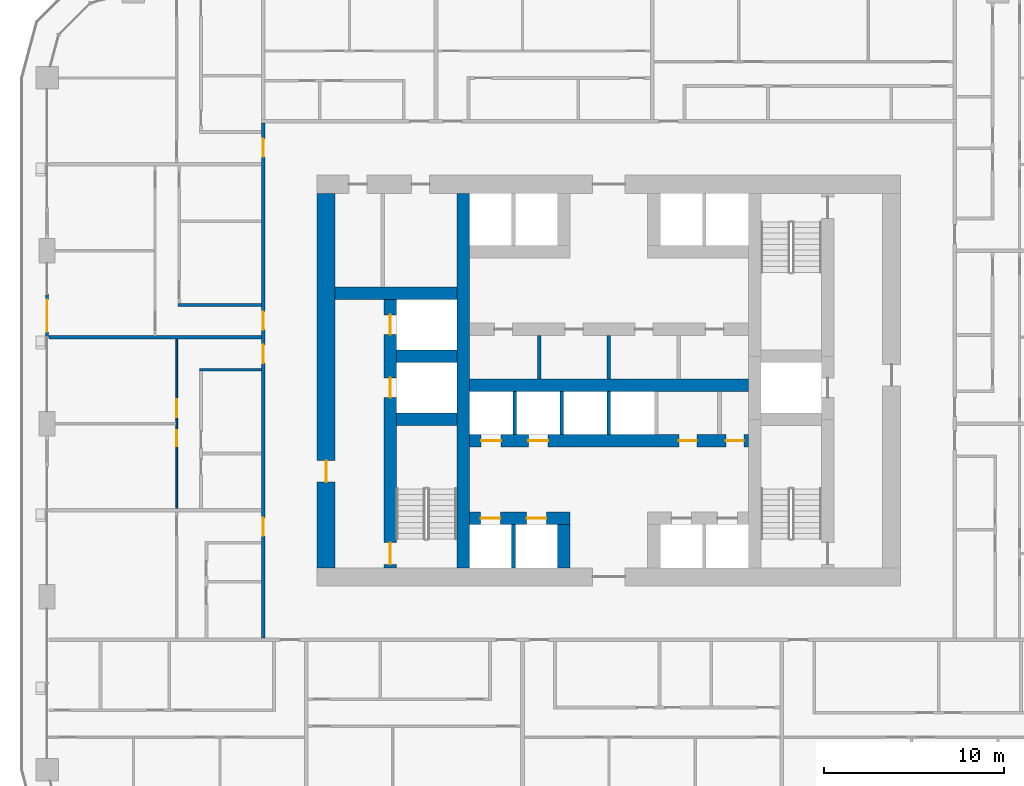
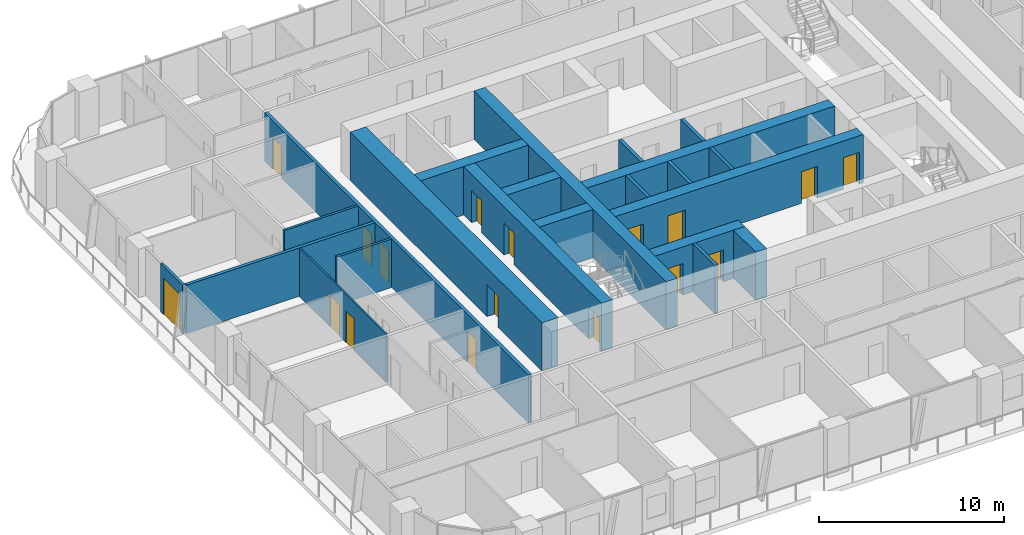
# One storey, part 10 of 21: 22 walls, 17 doors, 17 openings.
"""IFC4 building model written with IfcOpenShell, lengths in metres."""

from ifc_helpers import new_model, si_unit, direction, frame, frame_2d, origin, place, context, subcontext, project, spatial, rectangle, extrude, material, layer, layer_set, type_object, element, fill, save


model = new_model("IFC4")

# Units and contexts
model_context = context("Model", 3, precision=1e-05, world=origin(), true_north=direction((0.0, 1.0)))
body_context = subcontext(model_context, "Body", "Model", "MODEL_VIEW")
ifc_project = project(units=[si_unit("LENGTHUNIT", "METRE"), si_unit("AREAUNIT", "SQUARE_METRE"), si_unit("VOLUMEUNIT", "CUBIC_METRE"), si_unit("PLANEANGLEUNIT", "RADIAN"), si_unit("MASSUNIT", "GRAM", prefix="KILO")], contexts=[model_context])

# Site, building, storey
site_placement = place(None, origin())
site = spatial("IfcSite", under=ifc_project, at=site_placement, CompositionType="ELEMENT")
building_placement = place(site_placement, origin())
building = spatial("IfcBuilding", under=site, at=building_placement, Name="Madar Terraces", CompositionType="ELEMENT")
storey_placement = place(building_placement, frame((0.0, 0.0, 46.89990234375)))
storey = spatial("IfcBuildingStorey", under=building, at=storey_placement, Name="L11", CompositionType="ELEMENT", Elevation=46.89990234375)

# Wall, openings, doors
ifc_material_1 = material(Name="Concrete C80/95", Category="concrete")
ifc_layer_1 = layer(ifc_material_1, 0.699951171875)
ifc_layer_set_1 = layer_set([ifc_layer_1], Name="Concrete C80/95 (CIW1 RC wall 700)")
wall_type_1 = type_object("IfcWallType", Name="CIW1 RC wall 700", PredefinedType="SHEAR", material=ifc_layer_set_1)
wall_1_placement = place(storey_placement, frame((19.050048828125, 16.0, 0.0), z_axis=(0.0, 0.0, 1.0), x_axis=(0.0, 1.0, 0.0)))
wall_1 = element("IfcWall", 1, at=wall_1_placement, inside=storey, type_object=wall_type_1, Name="CORE SHAFT WALL", PredefinedType="SHEAR", context=body_context, shape_type="SweptSolid", body=[
    extrude(rectangle(XDim=14.89990234375, YDim=0.699951171875, at=frame_2d((7.449951171875, 0.0))), origin(), (0.0, 0.0, 1.0), 3.2001953125),
])
opening_1_placement = place(wall_1_placement, frame((9.449951171875, 0.0, 0.0)))
opening_1 = element("IfcOpeningElement", 2, at=opening_1_placement, cuts=wall_1, Name="Opening LD", PredefinedType="OPENING", context=body_context, shape_type="SweptSolid", body=[
    extrude(rectangle(XDim=1.10009765625, YDim=2.10009765625, at=frame_2d((0.550048828125, 1.050048828125))), frame((0.0, 0.35986328125, 0.0), z_axis=(0.0, -1.0, 0.0), x_axis=(1.0, 0.0, 0.0)), (0.0, 0.0, 1.0), 0.719970703125),
])
opening_2_placement = place(wall_1_placement, frame((12.949951171875, 0.0, 0.0)))
opening_2 = element("IfcOpeningElement", 3, at=opening_2_placement, cuts=wall_1, Name="Opening LD", PredefinedType="OPENING", context=body_context, shape_type="SweptSolid", body=[
    extrude(rectangle(XDim=1.10009765625, YDim=2.10009765625, at=frame_2d((0.550048828125, 1.050048828125))), frame((0.0, 0.35986328125, 0.0), z_axis=(0.0, -1.0, 0.0), x_axis=(1.0, 0.0, 0.0)), (0.0, 0.0, 1.0), 0.719970703125),
])
opening_3_placement = place(wall_1_placement, frame((0.199951171875, 0.0, 0.0)))
opening_3 = element("IfcOpeningElement", 4, at=opening_3_placement, cuts=wall_1, Name="Opening SD1", PredefinedType="OPENING", context=body_context, shape_type="SweptSolid", body=[
    extrude(rectangle(XDim=1.199951171875, YDim=2.10009765625, at=frame_2d((0.60009765625, 1.050048828125))), frame((0.0, 0.35986328125, 0.0), z_axis=(0.0, -1.0, 0.0), x_axis=(1.0, 0.0, 0.0)), (0.0, 0.0, 1.0), 0.719970703125),
])
ifc_material_2 = material(Name="Stainless steel panel", Category="steel")
door_type_1 = type_object("IfcDoorType", Name="Lift landing door 1100 x 2100", OperationType="DOUBLE_DOOR_SLIDING", PredefinedType="DOOR", material=ifc_material_2)
door_1_placement = place(opening_1_placement, origin())
door_1 = element("IfcDoor", 5, at=door_1_placement, inside=storey, type_object=door_type_1, Name="LIFT LANDING DOOR", OperationType="DOUBLE_DOOR_SLIDING", OverallHeight=2.10009765625, OverallWidth=1.10009765625, PredefinedType="DOOR", context=body_context, shape_type="SweptSolid", body=[
    extrude(rectangle(XDim=1.10009765625, YDim=2.10009765625, at=frame_2d((0.550048828125, 1.050048828125))), frame((0.0, 0.02490234375, 0.0), z_axis=(0.0, -1.0, 0.0), x_axis=(1.0, 0.0, 0.0)), (0.0, 0.0, 1.0), 0.050048828125),
])
fill(opening_1, door_1)
door_2_placement = place(opening_2_placement, origin())
door_2 = element("IfcDoor", 6, at=door_2_placement, inside=storey, type_object=door_type_1, Name="LIFT LANDING DOOR", OperationType="DOUBLE_DOOR_SLIDING", OverallHeight=2.10009765625, OverallWidth=1.10009765625, PredefinedType="DOOR", context=body_context, shape_type="SweptSolid", body=[
    extrude(rectangle(XDim=1.10009765625, YDim=2.10009765625, at=frame_2d((0.550048828125, 1.050048828125))), frame((0.0, 0.02490234375, 0.0), z_axis=(0.0, -1.0, 0.0), x_axis=(1.0, 0.0, 0.0)), (0.0, 0.0, 1.0), 0.050048828125),
])
fill(opening_2, door_2)
ifc_material_3 = material(Name="Steel door leaf", Category="steel")
door_type_2 = type_object("IfcDoorType", Name="Stair door 1200 x 2100", OperationType="NOTDEFINED", PredefinedType="DOOR", material=ifc_material_3)
door_3_placement = place(opening_3_placement, frame((1.199951171875, 0.0, 0.0), z_axis=(0.0, 0.0, 1.0), x_axis=(-1.0, 0.0, 0.0)))
door_3 = element("IfcDoor", 7, at=door_3_placement, inside=storey, type_object=door_type_2, Name="STAIR DOOR", OperationType="SINGLE_SWING_LEFT", OverallHeight=2.10009765625, OverallWidth=1.199951171875, PredefinedType="DOOR", context=body_context, shape_type="SweptSolid", body=[
    extrude(rectangle(XDim=1.199951171875, YDim=2.10009765625, at=frame_2d((0.60009765625, 1.050048828125))), frame((0.0, 0.02490234375, 0.0), z_axis=(0.0, -1.0, 0.0), x_axis=(1.0, 0.0, 0.0)), (0.0, 0.0, 1.0), 0.050048828125),
])
fill(opening_3, door_3)

# Walls
wall_2_placement = place(storey_placement, frame((23.10009765625, 16.0, 0.0), z_axis=(0.0, 0.0, 1.0), x_axis=(0.0, 1.0, 0.0)))
element("IfcWall", 8, at=wall_2_placement, inside=storey, type_object=wall_type_1, Name="CORE SHAFT WALL", PredefinedType="SHEAR", context=body_context, shape_type="SweptSolid", body=[
    extrude(rectangle(XDim=20.800048828125, YDim=0.699951171875, at=frame_2d((10.39990234375, 0.0))), origin(), (0.0, 0.0, 1.0), 3.2001953125),
])
for number, where, z_axis, x_axis, name in (
    (9, (19.39990234375, 24.25, 0.0), (0.0, 0.0, 1.0), (1.0, 0.0, 0.0), "CORE SHAFT WALL"),
    (10, (19.39990234375, 27.75, 0.0), (0.0, 0.0, 1.0), (1.0, 0.0, 0.0), "CORE SHAFT WALL"),
):
    element("IfcWall", number, at=place(storey_placement, frame(where, z_axis=z_axis, x_axis=x_axis)), inside=storey, type_object=wall_type_1, Name=name, PredefinedType="SHEAR", context=body_context, shape_type="SweptSolid", body=[
        extrude(rectangle(XDim=3.35009765625, YDim=0.699951171875, at=frame_2d((1.675048828125, 0.0))), origin(), (0.0, 0.0, 1.0), 3.2001953125),
    ])
wall_3_placement = place(storey_placement, frame((16.0, 31.25, 0.0), z_axis=(0.0, 0.0, 1.0), x_axis=(1.0, 0.0, 0.0)))
element("IfcWall", 11, at=wall_3_placement, inside=storey, type_object=wall_type_1, Name="CORE SHAFT WALL", PredefinedType="SHEAR", context=body_context, shape_type="SweptSolid", body=[
    extrude(rectangle(XDim=6.75, YDim=0.699951171875, at=frame_2d((3.375, 0.0))), origin(), (0.0, 0.0, 1.0), 3.2001953125),
])

# Wall, openings, doors
wall_4_placement = place(storey_placement, frame((23.449951171875, 18.75, 0.0), z_axis=(0.0, 0.0, 1.0), x_axis=(1.0, 0.0, 0.0)))
wall_4 = element("IfcWall", 12, at=wall_4_placement, inside=storey, type_object=wall_type_1, Name="CORE SHAFT WALL", PredefinedType="SHEAR", context=body_context, shape_type="SweptSolid", body=[
    extrude(rectangle(XDim=5.60009765625, YDim=0.699951171875, at=frame_2d((2.800048828125, 0.0))), origin(), (0.0, 0.0, 1.0), 3.2001953125),
])
opening_4_placement = place(wall_4_placement, frame((0.625, 0.0, 0.0)))
opening_4 = element("IfcOpeningElement", 13, at=opening_4_placement, cuts=wall_4, Name="Opening LD", PredefinedType="OPENING", context=body_context, shape_type="SweptSolid", body=[
    extrude(rectangle(XDim=1.10009765625, YDim=2.10009765625, at=frame_2d((0.550048828125, 1.050048828125))), frame((0.0, 0.35986328125, 0.0), z_axis=(0.0, -1.0, 0.0), x_axis=(1.0, 0.0, 0.0)), (0.0, 0.0, 1.0), 0.719970703125),
])
opening_5_placement = place(wall_4_placement, frame((3.175048828125, 0.0, 0.0)))
opening_5 = element("IfcOpeningElement", 14, at=opening_5_placement, cuts=wall_4, Name="Opening LD", PredefinedType="OPENING", context=body_context, shape_type="SweptSolid", body=[
    extrude(rectangle(XDim=1.10009765625, YDim=2.10009765625, at=frame_2d((0.550048828125, 1.050048828125))), frame((0.0, 0.35986328125, 0.0), z_axis=(0.0, -1.0, 0.0), x_axis=(1.0, 0.0, 0.0)), (0.0, 0.0, 1.0), 0.719970703125),
])
door_4_placement = place(opening_4_placement, origin())
door_4 = element("IfcDoor", 15, at=door_4_placement, inside=storey, type_object=door_type_1, Name="LIFT LANDING DOOR", OperationType="DOUBLE_DOOR_SLIDING", OverallHeight=2.10009765625, OverallWidth=1.10009765625, PredefinedType="DOOR", context=body_context, shape_type="SweptSolid", body=[
    extrude(rectangle(XDim=1.10009765625, YDim=2.10009765625, at=frame_2d((0.550048828125, 1.050048828125))), frame((0.0, 0.02490234375, 0.0), z_axis=(0.0, -1.0, 0.0), x_axis=(1.0, 0.0, 0.0)), (0.0, 0.0, 1.0), 0.050048828125),
])
fill(opening_4, door_4)
door_5_placement = place(opening_5_placement, origin())
door_5 = element("IfcDoor", 16, at=door_5_placement, inside=storey, type_object=door_type_1, Name="LIFT LANDING DOOR", OperationType="DOUBLE_DOOR_SLIDING", OverallHeight=2.10009765625, OverallWidth=1.10009765625, PredefinedType="DOOR", context=body_context, shape_type="SweptSolid", body=[
    extrude(rectangle(XDim=1.10009765625, YDim=2.10009765625, at=frame_2d((0.550048828125, 1.050048828125))), frame((0.0, 0.02490234375, 0.0), z_axis=(0.0, -1.0, 0.0), x_axis=(1.0, 0.0, 0.0)), (0.0, 0.0, 1.0), 0.050048828125),
])
fill(opening_5, door_5)

wall_5_placement = place(storey_placement, frame((23.449951171875, 23.050048828125, 0.0), z_axis=(0.0, 0.0, 1.0), x_axis=(1.0, 0.0, 0.0)))
wall_5 = element("IfcWall", 17, at=wall_5_placement, inside=storey, type_object=wall_type_1, Name="CORE SHAFT WALL", PredefinedType="SHEAR", context=body_context, shape_type="SweptSolid", body=[
    extrude(rectangle(XDim=15.5, YDim=0.699951171875, at=frame_2d((7.75, 0.0))), origin(), (0.0, 0.0, 1.0), 3.2001953125),
])
opening_6_placement = place(wall_5_placement, frame((0.658447265625, 0.0, 0.0)))
opening_6 = element("IfcOpeningElement", 18, at=opening_6_placement, cuts=wall_5, Name="Opening LD", PredefinedType="OPENING", context=body_context, shape_type="SweptSolid", body=[
    extrude(rectangle(XDim=1.10009765625, YDim=2.10009765625, at=frame_2d((0.550048828125, 1.050048828125))), frame((0.0, 0.35986328125, 0.0), z_axis=(0.0, -1.0, 0.0), x_axis=(1.0, 0.0, 0.0)), (0.0, 0.0, 1.0), 0.719970703125),
])
opening_7_placement = place(wall_5_placement, frame((3.27490234375, 0.0, 0.0)))
opening_7 = element("IfcOpeningElement", 19, at=opening_7_placement, cuts=wall_5, Name="Opening LD", PredefinedType="OPENING", context=body_context, shape_type="SweptSolid", body=[
    extrude(rectangle(XDim=1.10009765625, YDim=2.10009765625, at=frame_2d((0.550048828125, 1.050048828125))), frame((0.0, 0.35986328125, 0.0), z_axis=(0.0, -1.0, 0.0), x_axis=(1.0, 0.0, 0.0)), (0.0, 0.0, 1.0), 0.719970703125),
])
opening_8_placement = place(wall_5_placement, frame((11.6279296875, 0.0, 0.0)))
opening_8 = element("IfcOpeningElement", 20, at=opening_8_placement, cuts=wall_5, Name="Opening KD2", PredefinedType="OPENING", context=body_context, shape_type="SweptSolid", body=[
    extrude(rectangle(XDim=1.0, YDim=2.10009765625, at=frame_2d((0.5, 1.050048828125))), frame((0.0, 0.35986328125, 0.0), z_axis=(0.0, -1.0, 0.0), x_axis=(1.0, 0.0, 0.0)), (0.0, 0.0, 1.0), 0.719970703125),
])
opening_9_placement = place(wall_5_placement, frame((14.24462890625, 0.0, 0.0)))
opening_9 = element("IfcOpeningElement", 21, at=opening_9_placement, cuts=wall_5, Name="Opening KD2", PredefinedType="OPENING", context=body_context, shape_type="SweptSolid", body=[
    extrude(rectangle(XDim=1.0, YDim=2.10009765625, at=frame_2d((0.5, 1.050048828125))), frame((0.0, 0.35986328125, 0.0), z_axis=(0.0, -1.0, 0.0), x_axis=(1.0, 0.0, 0.0)), (0.0, 0.0, 1.0), 0.719970703125),
])
door_6_placement = place(opening_6_placement, origin())
door_6 = element("IfcDoor", 22, at=door_6_placement, inside=storey, type_object=door_type_1, Name="LIFT LANDING DOOR", OperationType="DOUBLE_DOOR_SLIDING", OverallHeight=2.10009765625, OverallWidth=1.10009765625, PredefinedType="DOOR", context=body_context, shape_type="SweptSolid", body=[
    extrude(rectangle(XDim=1.10009765625, YDim=2.10009765625, at=frame_2d((0.550048828125, 1.050048828125))), frame((0.0, 0.02490234375, 0.0), z_axis=(0.0, -1.0, 0.0), x_axis=(1.0, 0.0, 0.0)), (0.0, 0.0, 1.0), 0.050048828125),
])
fill(opening_6, door_6)
door_7_placement = place(opening_7_placement, origin())
door_7 = element("IfcDoor", 23, at=door_7_placement, inside=storey, type_object=door_type_1, Name="LIFT LANDING DOOR", OperationType="DOUBLE_DOOR_SLIDING", OverallHeight=2.10009765625, OverallWidth=1.10009765625, PredefinedType="DOOR", context=body_context, shape_type="SweptSolid", body=[
    extrude(rectangle(XDim=1.10009765625, YDim=2.10009765625, at=frame_2d((0.550048828125, 1.050048828125))), frame((0.0, 0.02490234375, 0.0), z_axis=(0.0, -1.0, 0.0), x_axis=(1.0, 0.0, 0.0)), (0.0, 0.0, 1.0), 0.050048828125),
])
fill(opening_7, door_7)
ifc_material_4 = material(Name="Steel door leaf", Category="steel")
door_type_3 = type_object("IfcDoorType", Name="Service room door 1000 x 2100", OperationType="NOTDEFINED", PredefinedType="DOOR", material=ifc_material_4)
door_8_placement = place(opening_8_placement, frame((1.0, 0.0, 0.0), z_axis=(0.0, 0.0, 1.0), x_axis=(-1.0, 0.0, 0.0)))
door_8 = element("IfcDoor", 24, at=door_8_placement, inside=storey, type_object=door_type_3, Name="SERVICE ROOM DOOR", OperationType="SINGLE_SWING_RIGHT", OverallHeight=2.10009765625, OverallWidth=1.0, PredefinedType="DOOR", context=body_context, shape_type="SweptSolid", body=[
    extrude(rectangle(XDim=1.0, YDim=2.10009765625, at=frame_2d((0.5, 1.050048828125))), frame((0.0, 0.02490234375, 0.0), z_axis=(0.0, -1.0, 0.0), x_axis=(1.0, 0.0, 0.0)), (0.0, 0.0, 1.0), 0.050048828125),
])
fill(opening_8, door_8)
door_9_placement = place(opening_9_placement, frame((1.0, 0.0, 0.0), z_axis=(0.0, 0.0, 1.0), x_axis=(-1.0, 0.0, 0.0)))
door_9 = element("IfcDoor", 25, at=door_9_placement, inside=storey, type_object=door_type_3, Name="SERVICE ROOM DOOR", OperationType="SINGLE_SWING_LEFT", OverallHeight=2.10009765625, OverallWidth=1.0, PredefinedType="DOOR", context=body_context, shape_type="SweptSolid", body=[
    extrude(rectangle(XDim=1.0, YDim=2.10009765625, at=frame_2d((0.5, 1.050048828125))), frame((0.0, 0.02490234375, 0.0), z_axis=(0.0, -1.0, 0.0), x_axis=(1.0, 0.0, 0.0)), (0.0, 0.0, 1.0), 0.050048828125),
])
fill(opening_9, door_9)

# Walls
wall_6_placement = place(storey_placement, frame((23.449951171875, 26.14990234375, 0.0), z_axis=(0.0, 0.0, 1.0), x_axis=(1.0, 0.0, 0.0)))
element("IfcWall", 26, at=wall_6_placement, inside=storey, type_object=wall_type_1, Name="CORE SHAFT WALL", PredefinedType="SHEAR", context=body_context, shape_type="SweptSolid", body=[
    extrude(rectangle(XDim=15.5, YDim=0.699951171875, at=frame_2d((7.75, 0.0))), origin(), (0.0, 0.0, 1.0), 3.2001953125),
])
wall_7_placement = place(storey_placement, frame((28.699951171875, 16.0, 0.0), z_axis=(0.0, 0.0, 1.0), x_axis=(0.0, 1.0, 0.0)))
element("IfcWall", 27, at=wall_7_placement, inside=storey, type_object=wall_type_1, Name="CORE SHAFT WALL", PredefinedType="SHEAR", context=body_context, shape_type="SweptSolid", body=[
    extrude(rectangle(XDim=2.39990234375, YDim=0.699951171875, at=frame_2d((1.199951171875, 0.0))), origin(), (0.0, 0.0, 1.0), 3.2001953125),
])

# Wall, opening, door
ifc_material_5 = material(Name="Concrete C80/95", Category="concrete")
ifc_layer_2 = layer(ifc_material_5, 1.0)
ifc_layer_set_2 = layer_set([ifc_layer_2], Name="Concrete C80/95 (CRW1 RC wall 1000)")
wall_type_2 = type_object("IfcWallType", Name="CRW1 RC wall 1000", PredefinedType="SHEAR", material=ifc_layer_set_2)
wall_8_placement = place(storey_placement, frame((15.5, 16.0, 0.0), z_axis=(0.0, 0.0, 1.0), x_axis=(0.0, 1.0, 0.0)))
wall_8 = element("IfcWall", 28, at=wall_8_placement, inside=storey, type_object=wall_type_2, Name="CORE OUTER WALL", PredefinedType="SHEAR", context=body_context, shape_type="SweptSolid", body=[
    extrude(rectangle(XDim=20.800048828125, YDim=1.0, at=frame_2d((10.39990234375, 0.0))), origin(), (0.0, 0.0, 1.0), 3.2001953125),
])
opening_10_placement = place(wall_8_placement, frame((4.760009765625, 0.0, 0.0)))
opening_10 = element("IfcOpeningElement", 29, at=opening_10_placement, cuts=wall_8, Name="Opening SD1", PredefinedType="OPENING", context=body_context, shape_type="SweptSolid", body=[
    extrude(rectangle(XDim=1.199951171875, YDim=2.10009765625, at=frame_2d((0.60009765625, 1.050048828125))), frame((0.0, 0.510009765625, 0.0), z_axis=(0.0, -1.0, 0.0), x_axis=(1.0, 0.0, 0.0)), (0.0, 0.0, 1.0), 1.02001953125),
])
door_10_placement = place(opening_10_placement, frame((1.199951171875, 0.0, 0.0), z_axis=(0.0, 0.0, 1.0), x_axis=(-1.0, 0.0, 0.0)))
door_10 = element("IfcDoor", 30, at=door_10_placement, inside=storey, type_object=door_type_2, Name="STAIR DOOR", OperationType="SINGLE_SWING_RIGHT", OverallHeight=2.10009765625, OverallWidth=1.199951171875, PredefinedType="DOOR", context=body_context, shape_type="SweptSolid", body=[
    extrude(rectangle(XDim=1.199951171875, YDim=2.10009765625, at=frame_2d((0.60009765625, 1.050048828125))), frame((0.0, 0.02490234375, 0.0), z_axis=(0.0, -1.0, 0.0), x_axis=(1.0, 0.0, 0.0)), (0.0, 0.0, 1.0), 0.050048828125),
])
fill(opening_10, door_10)

# Walls
ifc_material_6 = material(Name="Masonry blockwork", Category="masonry")
ifc_layer_3 = layer(ifc_material_6, 0.199951171875)
ifc_layer_set_3 = layer_set([ifc_layer_3], Name="Core partition 200 blockwork")
wall_type_3 = type_object("IfcWallType", Name="Core partition 200 blockwork", PredefinedType="PARTITIONING", material=ifc_layer_set_3)
for number, where, z_axis, x_axis, name in (
    (31, (27.324951171875, 26.5, 0.0), (0.0, 0.0, 1.0), (0.0, 1.0, 0.0), "SERVICE ROOM PARTITION"),
    (32, (31.199951171875, 26.5, 0.0), (0.0, 0.0, 1.0), (0.0, 1.0, 0.0), "SERVICE ROOM PARTITION"),
):
    element("IfcWall", number, at=place(storey_placement, frame(where, z_axis=z_axis, x_axis=x_axis)), inside=storey, type_object=wall_type_3, Name=name, PredefinedType="PARTITIONING", context=body_context, shape_type="SweptSolid", body=[
        extrude(rectangle(XDim=2.39990234375, YDim=0.199951171875, at=frame_2d((1.199951171875, 0.0))), origin(), (0.0, 0.0, 1.0), 3.2001953125),
    ])
ifc_material_7 = material(Name="Concrete C40/50", Category="concrete")
ifc_layer_4 = layer(ifc_material_7, 0.199951171875)
ifc_layer_set_4 = layer_set([ifc_layer_4], Name="Core shaft dividing wall 200 C40/50")
wall_type_4 = type_object("IfcWallType", Name="Core shaft dividing wall 200 C40/50", PredefinedType="SOLIDWALL", material=ifc_layer_set_4)
for number, where, z_axis, x_axis, name in (
    (33, (25.966552734375, 23.39990234375, 0.0), (0.0, 0.0, 1.0), (0.0, 1.0, 0.0), "SHAFT DIVIDING WALL"),
    (34, (28.583251953125, 23.39990234375, 0.0), (0.0, 0.0, 1.0), (0.0, 1.0, 0.0), "SHAFT DIVIDING WALL"),
    (35, (31.199951171875, 23.39990234375, 0.0), (0.0, 0.0, 1.0), (0.0, 1.0, 0.0), "SHAFT DIVIDING WALL"),
):
    element("IfcWall", number, at=place(storey_placement, frame(where, z_axis=z_axis, x_axis=x_axis)), inside=storey, type_object=wall_type_4, Name=name, PredefinedType="SOLIDWALL", context=body_context, shape_type="SweptSolid", body=[
        extrude(rectangle(XDim=2.400146484375, YDim=0.199951171875, at=frame_2d((1.2001953125, 0.0))), origin(), (0.0, 0.0, 1.0), 3.2001953125),
    ])
wall_9_placement = place(storey_placement, frame((25.89990234375, 16.0, 0.0), z_axis=(0.0, 0.0, 1.0), x_axis=(0.0, 1.0, 0.0)))
element("IfcWall", 36, at=wall_9_placement, inside=storey, type_object=wall_type_4, Name="SHAFT DIVIDING WALL", PredefinedType="SOLIDWALL", context=body_context, shape_type="SweptSolid", body=[
    extrude(rectangle(XDim=2.39990234375, YDim=0.199951171875, at=frame_2d((1.199951171875, 0.0))), origin(), (0.0, 0.0, 1.0), 3.2001953125),
])

# Wall, opening, door
ifc_material_8 = material(Name="Aluminium composite panel, black, over insulated backing", Category="aluminium")
ifc_layer_5 = layer(ifc_material_8, 0.14990234375)
ifc_layer_set_5 = layer_set([ifc_layer_5], Name="Facade bay panel 150")
wall_type_5 = type_object("IfcWallType", Name="Facade bay panel 150", PredefinedType="SOLIDWALL", material=ifc_layer_set_5)
wall_10_placement = place(storey_placement, frame((0.0, 31.199951171875, 0.0), z_axis=(0.0, 0.0, 1.0), x_axis=(0.0, -1.0, 0.0)))
wall_10 = element("IfcWall", 37, at=wall_10_placement, inside=storey, type_object=wall_type_5, Name="Facade bay panel", PredefinedType="SOLIDWALL", context=body_context, shape_type="SweptSolid", body=[
    extrude(rectangle(XDim=2.39990234375, YDim=0.14990234375, at=frame_2d((1.199951171875, 0.0))), origin(), (0.0, 0.0, 1.0), 3.2001953125),
])
opening_11_placement = place(wall_10_placement, frame((0.300048828125, 0.0, 0.0)))
opening_11 = element("IfcOpeningElement", 38, at=opening_11_placement, cuts=wall_10, Name="Opening ED1", PredefinedType="OPENING", context=body_context, shape_type="SweptSolid", body=[
    extrude(rectangle(XDim=1.800048828125, YDim=2.39990234375, at=frame_2d((0.89990234375, 1.199951171875))), frame((0.0, 0.0849609375, 0.0), z_axis=(0.0, -1.0, 0.0), x_axis=(1.0, 0.0, 0.0)), (0.0, 0.0, 1.0), 0.169921875),
])
ifc_material_9 = material(Name="Glass, clear, with black aluminium frame", Category="aluminium")
door_type_4 = type_object("IfcDoorType", Name="Balcony and terrace sliding door 1800 x 2400", OperationType="SLIDING_TO_LEFT", PredefinedType="DOOR", material=ifc_material_9)
door_11_placement = place(opening_11_placement, origin())
door_11 = element("IfcDoor", 39, at=door_11_placement, inside=storey, type_object=door_type_4, Name="Balcony door", OperationType="SLIDING_TO_RIGHT", OverallHeight=2.39990234375, OverallWidth=1.800048828125, PredefinedType="DOOR", context=body_context, shape_type="SweptSolid", body=[
    extrude(rectangle(XDim=1.800048828125, YDim=2.39990234375, at=frame_2d((0.89990234375, 1.199951171875))), frame((0.0, 0.02490234375, 0.0), z_axis=(0.0, -1.0, 0.0), x_axis=(1.0, 0.0, 0.0)), (0.0, 0.0, 1.0), 0.050048828125),
])
fill(opening_11, door_11)

# Wall, openings, doors
ifc_material_10 = material(Name="Gypsum board on steel studs", Category="steel")
ifc_layer_6 = layer(ifc_material_10, 0.10009765625)
ifc_layer_set_6 = layer_set([ifc_layer_6], Name="Flat partition 100")
wall_type_6 = type_object("IfcWallType", Name="Flat partition 100", PredefinedType="PARTITIONING", material=ifc_layer_set_6)
wall_11_placement = place(storey_placement, frame((7.199951171875, 19.300048828125, 0.0), z_axis=(0.0, 0.0, 1.0), x_axis=(0.0, 1.0, 0.0)))
wall_11 = element("IfcWall", 40, at=wall_11_placement, inside=storey, type_object=wall_type_6, Name="Flat partition 100", PredefinedType="PARTITIONING", context=body_context, shape_type="SweptSolid", body=[
    extrude(rectangle(XDim=9.39990234375, YDim=0.10009765625, at=frame_2d((4.699951171875, 0.0))), origin(), (0.0, 0.0, 1.0), 3.2001953125),
])
opening_12_placement = place(wall_11_placement, frame((5.050048828125, 0.0, 0.0)))
opening_12 = element("IfcOpeningElement", 41, at=opening_12_placement, cuts=wall_11, Name="Opening D3", PredefinedType="OPENING", context=body_context, shape_type="SweptSolid", body=[
    extrude(rectangle(XDim=1.0, YDim=2.10009765625, at=frame_2d((0.5, 1.050048828125))), frame((0.0, 0.06005859375, 0.0), z_axis=(0.0, -1.0, 0.0), x_axis=(1.0, 0.0, 0.0)), (0.0, 0.0, 1.0), 0.1201171875),
])
opening_13_placement = place(wall_11_placement, frame((3.449951171875, 0.0, 0.0)))
opening_13 = element("IfcOpeningElement", 42, at=opening_13_placement, cuts=wall_11, Name="Opening D2", PredefinedType="OPENING", context=body_context, shape_type="SweptSolid", body=[
    extrude(rectangle(XDim=0.89990234375, YDim=2.10009765625, at=frame_2d((0.449951171875, 1.050048828125))), frame((0.0, 0.06005859375, 0.0), z_axis=(0.0, -1.0, 0.0), x_axis=(1.0, 0.0, 0.0)), (0.0, 0.0, 1.0), 0.1201171875),
])
ifc_material_11 = material(Name="Timber door leaf", Category="wood")
door_type_5 = type_object("IfcDoorType", Name="Flat living room door 1000", OperationType="NOTDEFINED", PredefinedType="DOOR", material=ifc_material_11)
door_12_placement = place(opening_12_placement, origin())
door_12 = element("IfcDoor", 43, at=door_12_placement, inside=storey, type_object=door_type_5, Name="Flat living room door 1000", OperationType="SINGLE_SWING_LEFT", OverallHeight=2.10009765625, OverallWidth=1.0, PredefinedType="DOOR", context=body_context, shape_type="SweptSolid", body=[
    extrude(rectangle(XDim=1.0, YDim=2.10009765625, at=frame_2d((0.5, 1.050048828125))), frame((0.0, 0.02490234375, 0.0), z_axis=(0.0, -1.0, 0.0), x_axis=(1.0, 0.0, 0.0)), (0.0, 0.0, 1.0), 0.050048828125),
])
fill(opening_12, door_12)
ifc_material_12 = material(Name="Timber door leaf", Category="wood")
door_type_6 = type_object("IfcDoorType", Name="Flat room door 900", OperationType="NOTDEFINED", PredefinedType="DOOR", material=ifc_material_12)
door_13_placement = place(opening_13_placement, origin())
door_13 = element("IfcDoor", 44, at=door_13_placement, inside=storey, type_object=door_type_6, Name="Flat room door 900", OperationType="SINGLE_SWING_RIGHT", OverallHeight=2.10009765625, OverallWidth=0.89990234375, PredefinedType="DOOR", context=body_context, shape_type="SweptSolid", body=[
    extrude(rectangle(XDim=0.89990234375, YDim=2.10009765625, at=frame_2d((0.449951171875, 1.050048828125))), frame((0.0, 0.02490234375, 0.0), z_axis=(0.0, -1.0, 0.0), x_axis=(1.0, 0.0, 0.0)), (0.0, 0.0, 1.0), 0.050048828125),
])
fill(opening_13, door_13)

ifc_material_13 = material(Name="Lightweight blockwork", Category="masonry")
ifc_layer_7 = layer(ifc_material_13, 0.199951171875)
ifc_layer_set_7 = layer_set([ifc_layer_7], Name="Flat party and entrance wall 200")
wall_type_7 = type_object("IfcWallType", Name="Flat party and entrance wall 200", PredefinedType="PARTITIONING", material=ifc_layer_set_7)
wall_12_placement = place(storey_placement, frame((12.0, 12.10009765625, 0.0), z_axis=(0.0, 0.0, 1.0), x_axis=(0.0, 1.0, 0.0)))
wall_12 = element("IfcWall", 45, at=wall_12_placement, inside=storey, type_object=wall_type_7, Name="Flat party and entrance wall 200", PredefinedType="PARTITIONING", context=body_context, shape_type="SweptSolid", body=[
    extrude(rectangle(XDim=28.599853515625, YDim=0.199951171875, at=frame_2d((14.2998046875, 0.0))), origin(), (0.0, 0.0, 1.0), 3.2001953125),
])
opening_14_placement = place(wall_12_placement, frame((26.72509765625, 0.0, 0.0)))
opening_14 = element("IfcOpeningElement", 46, at=opening_14_placement, cuts=wall_12, Name="Opening D1", PredefinedType="OPENING", context=body_context, shape_type="SweptSolid", body=[
    extrude(rectangle(XDim=1.0, YDim=2.10009765625, at=frame_2d((0.5, 1.050048828125))), frame((0.0, 0.10986328125, 0.0), z_axis=(0.0, -1.0, 0.0), x_axis=(1.0, 0.0, 0.0)), (0.0, 0.0, 1.0), 0.219970703125),
])
opening_15_placement = place(wall_12_placement, frame((17.125, 0.0, 0.0)))
opening_15 = element("IfcOpeningElement", 47, at=opening_15_placement, cuts=wall_12, Name="Opening D1", PredefinedType="OPENING", context=body_context, shape_type="SweptSolid", body=[
    extrude(rectangle(XDim=1.0, YDim=2.10009765625, at=frame_2d((0.5, 1.050048828125))), frame((0.0, 0.10986328125, 0.0), z_axis=(0.0, -1.0, 0.0), x_axis=(1.0, 0.0, 0.0)), (0.0, 0.0, 1.0), 0.219970703125),
])
opening_16_placement = place(wall_12_placement, frame((15.27490234375, 0.0, 0.0)))
opening_16 = element("IfcOpeningElement", 48, at=opening_16_placement, cuts=wall_12, Name="Opening D1", PredefinedType="OPENING", context=body_context, shape_type="SweptSolid", body=[
    extrude(rectangle(XDim=1.0, YDim=2.10009765625, at=frame_2d((0.5, 1.050048828125))), frame((0.0, 0.10986328125, 0.0), z_axis=(0.0, -1.0, 0.0), x_axis=(1.0, 0.0, 0.0)), (0.0, 0.0, 1.0), 0.219970703125),
])
opening_17_placement = place(wall_12_placement, frame((5.675048828125, 0.0, 0.0)))
opening_17 = element("IfcOpeningElement", 49, at=opening_17_placement, cuts=wall_12, Name="Opening D1", PredefinedType="OPENING", context=body_context, shape_type="SweptSolid", body=[
    extrude(rectangle(XDim=1.0, YDim=2.10009765625, at=frame_2d((0.5, 1.050048828125))), frame((0.0, 0.10986328125, 0.0), z_axis=(0.0, -1.0, 0.0), x_axis=(1.0, 0.0, 0.0)), (0.0, 0.0, 1.0), 0.219970703125),
])
ifc_material_14 = material(Name="Timber fire door leaf", Category="wood")
door_type_7 = type_object("IfcDoorType", Name="Flat entrance door 1000 FD30S", OperationType="NOTDEFINED", PredefinedType="DOOR", material=ifc_material_14)
door_14_placement = place(opening_14_placement, origin())
door_14 = element("IfcDoor", 50, at=door_14_placement, inside=storey, type_object=door_type_7, Name="Flat entrance door 1000 FD30S", OperationType="SINGLE_SWING_LEFT", OverallHeight=2.10009765625, OverallWidth=1.0, PredefinedType="DOOR", context=body_context, shape_type="SweptSolid", body=[
    extrude(rectangle(XDim=1.0, YDim=2.10009765625, at=frame_2d((0.5, 1.050048828125))), frame((0.0, 0.02490234375, 0.0), z_axis=(0.0, -1.0, 0.0), x_axis=(1.0, 0.0, 0.0)), (0.0, 0.0, 1.0), 0.050048828125),
])
fill(opening_14, door_14)
door_15_placement = place(opening_15_placement, origin())
door_15 = element("IfcDoor", 51, at=door_15_placement, inside=storey, type_object=door_type_7, Name="Flat entrance door 1000 FD30S", OperationType="SINGLE_SWING_LEFT", OverallHeight=2.10009765625, OverallWidth=1.0, PredefinedType="DOOR", context=body_context, shape_type="SweptSolid", body=[
    extrude(rectangle(XDim=1.0, YDim=2.10009765625, at=frame_2d((0.5, 1.050048828125))), frame((0.0, 0.02490234375, 0.0), z_axis=(0.0, -1.0, 0.0), x_axis=(1.0, 0.0, 0.0)), (0.0, 0.0, 1.0), 0.050048828125),
])
fill(opening_15, door_15)
door_16_placement = place(opening_16_placement, origin())
door_16 = element("IfcDoor", 52, at=door_16_placement, inside=storey, type_object=door_type_7, Name="Flat entrance door 1000 FD30S", OperationType="SINGLE_SWING_RIGHT", OverallHeight=2.10009765625, OverallWidth=1.0, PredefinedType="DOOR", context=body_context, shape_type="SweptSolid", body=[
    extrude(rectangle(XDim=1.0, YDim=2.10009765625, at=frame_2d((0.5, 1.050048828125))), frame((0.0, 0.02490234375, 0.0), z_axis=(0.0, -1.0, 0.0), x_axis=(1.0, 0.0, 0.0)), (0.0, 0.0, 1.0), 0.050048828125),
])
fill(opening_16, door_16)
door_17_placement = place(opening_17_placement, origin())
door_17 = element("IfcDoor", 53, at=door_17_placement, inside=storey, type_object=door_type_7, Name="Flat entrance door 1000 FD30S", OperationType="SINGLE_SWING_RIGHT", OverallHeight=2.10009765625, OverallWidth=1.0, PredefinedType="DOOR", context=body_context, shape_type="SweptSolid", body=[
    extrude(rectangle(XDim=1.0, YDim=2.10009765625, at=frame_2d((0.5, 1.050048828125))), frame((0.0, 0.02490234375, 0.0), z_axis=(0.0, -1.0, 0.0), x_axis=(1.0, 0.0, 0.0)), (0.0, 0.0, 1.0), 0.050048828125),
])
fill(opening_17, door_17)

# Walls
wall_13_placement = place(storey_placement, frame((0.10009765625, 28.800048828125, 0.0), z_axis=(0.0, 0.0, 1.0), x_axis=(1.0, 0.0, 0.0)))
element("IfcWall", 54, at=wall_13_placement, inside=storey, type_object=wall_type_7, Name="Flat party and entrance wall 200", PredefinedType="PARTITIONING", context=body_context, shape_type="SweptSolid", body=[
    extrude(rectangle(XDim=11.7998046875, YDim=0.199951171875, at=frame_2d((5.89990234375, 0.0))), origin(), (0.0, 0.0, 1.0), 3.2001953125),
])
ifc_material_15 = material(Name="Lightweight blockwork", Category="masonry")
ifc_layer_8 = layer(ifc_material_15, 0.14990234375)
ifc_layer_set_8 = layer_set([ifc_layer_8], Name="Flat wet-room partition 150")
wall_type_8 = type_object("IfcWallType", Name="Flat wet-room partition 150", PredefinedType="PARTITIONING", material=ifc_layer_set_8)
wall_14_placement = place(storey_placement, frame((11.89990234375, 30.60009765625, 0.0), z_axis=(0.0, 0.0, 1.0), x_axis=(-1.0, 0.0, 0.0)))
element("IfcWall", 55, at=wall_14_placement, inside=storey, type_object=wall_type_8, Name="Flat wet-room partition 150", PredefinedType="PARTITIONING", context=body_context, shape_type="SweptSolid", body=[
    extrude(rectangle(XDim=4.625, YDim=0.14990234375, at=frame_2d((2.3125, 0.0))), origin(), (0.0, 0.0, 1.0), 3.2001953125),
])
wall_15_placement = place(storey_placement, frame((11.89990234375, 27.0, 0.0), z_axis=(0.0, 0.0, 1.0), x_axis=(-1.0, 0.0, 0.0)))
element("IfcWall", 56, at=wall_15_placement, inside=storey, type_object=wall_type_8, Name="Flat wet-room partition 150", PredefinedType="PARTITIONING", context=body_context, shape_type="SweptSolid", body=[
    extrude(rectangle(XDim=3.4248046875, YDim=0.14990234375, at=frame_2d((1.71240234375, 0.0))), origin(), (0.0, 0.0, 1.0), 3.2001953125),
])

save(model, "model.ifc")
